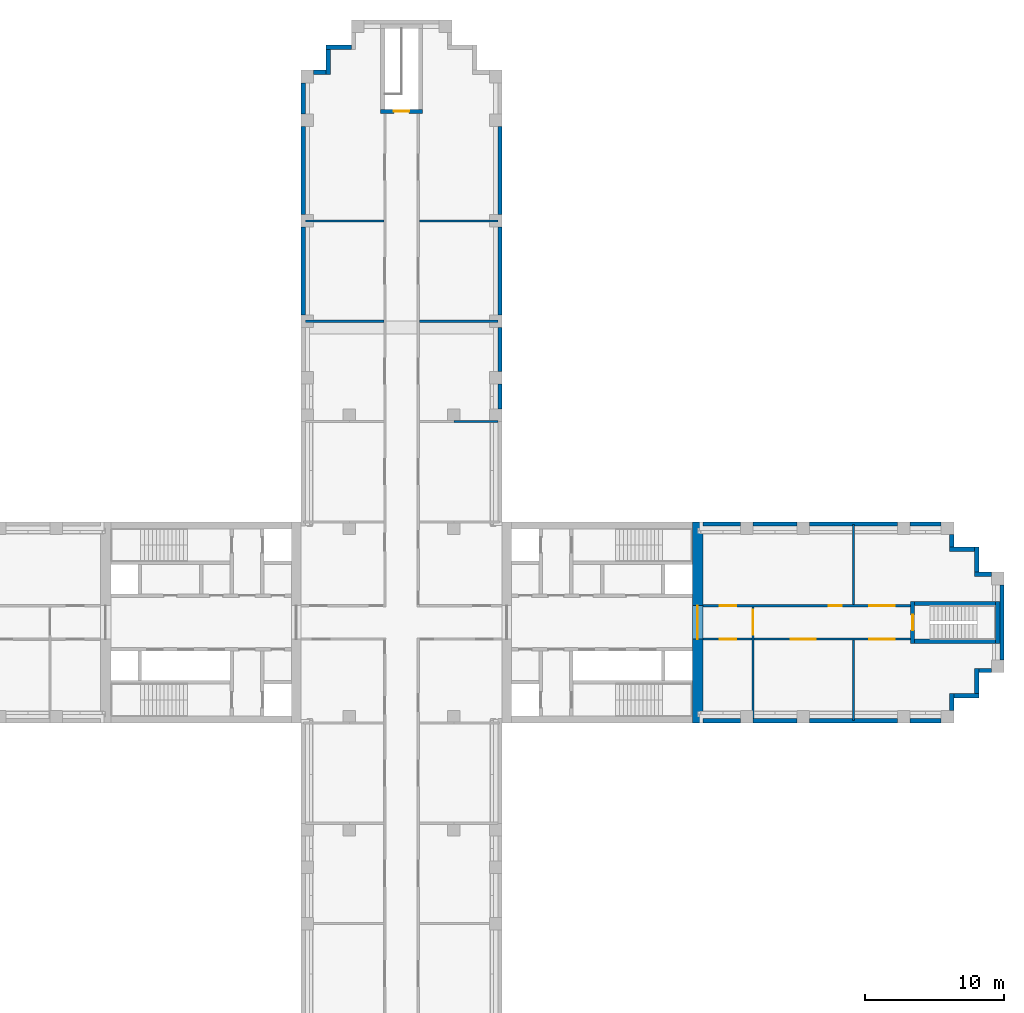
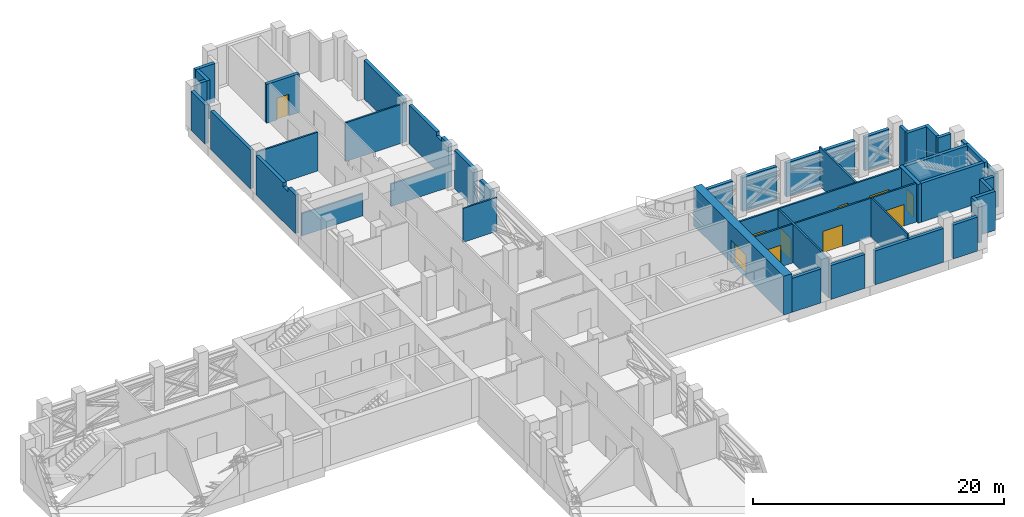
# One storey, part 8 of 10: 43 walls, 10 doors, 10 openings.
"""IFC4 building model written with IfcOpenShell, lengths in metres."""

from ifc_helpers import new_model, si_unit, direction, frame, frame_2d, origin, place, context, subcontext, project, spatial, polyline, rectangle, outline, extrude, material, layer, layer_set, type_object, element, fill, save


model = new_model("IFC4")

# Units and contexts
model_context = context("Model", 3, precision=1e-05, world=origin(), true_north=direction((0.0, 1.0)))
body_context = subcontext(model_context, "Body", "Model", "MODEL_VIEW")
ifc_project = project(units=[si_unit("LENGTHUNIT", "METRE"), si_unit("AREAUNIT", "SQUARE_METRE"), si_unit("VOLUMEUNIT", "CUBIC_METRE"), si_unit("PLANEANGLEUNIT", "RADIAN"), si_unit("MASSUNIT", "GRAM", prefix="KILO")], contexts=[model_context])

# Site, building, storey
site_placement = place(None, origin())
site = spatial("IfcSite", under=ifc_project, at=site_placement, CompositionType="ELEMENT")
building_placement = place(site_placement, origin())
building = spatial("IfcBuilding", under=site, at=building_placement, Name="Fustian Cross Tower", CompositionType="ELEMENT")
storey_placement = place(building_placement, frame((0.0, 0.0, 62.699951171875)))
storey = spatial("IfcBuildingStorey", under=building, at=storey_placement, Name="L19", CompositionType="ELEMENT", Elevation=62.699951171875)

# Walls
ifc_material_1 = material(Name="Plasterboard on steel stud", Category="steel")
ifc_layer_1 = layer(ifc_material_1, 0.14990234375)
ifc_layer_set_1 = layer_set([ifc_layer_1], Name="Plasterboard on steel stud")
wall_type_1 = type_object("IfcWallType", Name="COMPARTMENT WALL 150 EI 60", PredefinedType="PARTITIONING", material=ifc_layer_set_1)
wall_1_placement = place(storey_placement, frame((-6.89990234375, 21.60009765625, 0.0), z_axis=(0.0, 0.0, 1.0), x_axis=(1.0, 0.0, 0.0)))
element("IfcWall", 1, at=wall_1_placement, inside=storey, type_object=wall_type_1, Name="Partition 14", PredefinedType="PARTITIONING", context=body_context, shape_type="SweptSolid", body=[
    extrude(rectangle(XDim=5.625, YDim=0.14990234375, at=frame_2d((2.8125, 0.0))), origin(), (0.0, 0.0, 1.0), 2.175048828125),
])
wall_2_placement = place(storey_placement, frame((-6.89990234375, 28.800048828125, 0.0), z_axis=(0.0, 0.0, 1.0), x_axis=(1.0, 0.0, 0.0)))
element("IfcWall", 2, at=wall_2_placement, inside=storey, type_object=wall_type_1, Name="Partition 15", PredefinedType="PARTITIONING", context=body_context, shape_type="SweptSolid", body=[
    extrude(rectangle(XDim=5.625, YDim=0.14990234375, at=frame_2d((2.8125, 0.0))), origin(), (0.0, 0.0, 1.0), 3.775146484375),
])
wall_3_placement = place(storey_placement, frame((1.27490234375, 21.60009765625, 0.0), z_axis=(0.0, 0.0, 1.0), x_axis=(1.0, 0.0, 0.0)))
element("IfcWall", 3, at=wall_3_placement, inside=storey, type_object=wall_type_1, Name="Partition 28", PredefinedType="PARTITIONING", context=body_context, shape_type="SweptSolid", body=[
    extrude(rectangle(XDim=5.625, YDim=0.14990234375, at=frame_2d((2.8125, 0.0))), origin(), (0.0, 0.0, 1.0), 2.175048828125),
])
wall_4_placement = place(storey_placement, frame((1.27490234375, 28.800048828125, 0.0), z_axis=(0.0, 0.0, 1.0), x_axis=(1.0, 0.0, 0.0)))
element("IfcWall", 4, at=wall_4_placement, inside=storey, type_object=wall_type_1, Name="Partition 29", PredefinedType="PARTITIONING", context=body_context, shape_type="SweptSolid", body=[
    extrude(rectangle(XDim=5.625, YDim=0.14990234375, at=frame_2d((2.8125, 0.0))), origin(), (0.0, 0.0, 1.0), 3.775146484375),
])

# Wall, openings, doors
wall_5_placement = place(storey_placement, frame((21.60009765625, -1.199951171875, 0.0), z_axis=(0.0, 0.0, 1.0), x_axis=(1.0, 0.0, 0.0)))
wall_5 = element("IfcWall", 5, at=wall_5_placement, inside=storey, type_object=wall_type_1, Name="Partition 30", PredefinedType="PARTITIONING", context=body_context, shape_type="SweptSolid", body=[
    extrude(rectangle(XDim=14.89990234375, YDim=0.14990234375, at=frame_2d((7.449951171875, 0.0))), origin(), (0.0, 0.0, 1.0), 3.775146484375),
])
opening_1_placement = place(wall_5_placement, frame((1.199951171875, 0.0, 0.0)))
opening_1 = element("IfcOpeningElement", 6, at=opening_1_placement, cuts=wall_5, Name="Opening D10033", PredefinedType="OPENING", context=body_context, shape_type="SweptSolid", body=[
    extrude(rectangle(XDim=1.199951171875, YDim=2.10009765625, at=frame_2d((0.60009765625, 1.050048828125))), frame((0.0, 0.0849609375, 0.0), z_axis=(0.0, -1.0, 0.0), x_axis=(1.0, 0.0, 0.0)), (0.0, 0.0, 1.0), 0.169921875),
])
opening_2_placement = place(wall_5_placement, frame((6.300048828125, 0.0, 0.0)))
opening_2 = element("IfcOpeningElement", 7, at=opening_2_placement, cuts=wall_5, Name="Opening D10034", PredefinedType="OPENING", context=body_context, shape_type="SweptSolid", body=[
    extrude(rectangle(XDim=1.800048828125, YDim=2.10009765625, at=frame_2d((0.89990234375, 1.050048828125))), frame((0.0, 0.0849609375, 0.0), z_axis=(0.0, -1.0, 0.0), x_axis=(1.0, 0.0, 0.0)), (0.0, 0.0, 1.0), 0.169921875),
])
opening_3_placement = place(wall_5_placement, frame((11.949951171875, 0.0, 0.0)))
opening_3 = element("IfcOpeningElement", 8, at=opening_3_placement, cuts=wall_5, Name="Opening D10035", PredefinedType="OPENING", context=body_context, shape_type="SweptSolid", body=[
    extrude(rectangle(XDim=1.800048828125, YDim=2.10009765625, at=frame_2d((0.89990234375, 1.050048828125))), frame((0.0, 0.0849609375, 0.0), z_axis=(0.0, -1.0, 0.0), x_axis=(1.0, 0.0, 0.0)), (0.0, 0.0, 1.0), 0.169921875),
])
ifc_material_2 = material(Name="Timber fire door set", Category="wood")
door_type_1 = type_object("IfcDoorType", Name="FIRE DOUBLE DOOR 1800 FD60S", OperationType="DOUBLE_DOOR_DOUBLE_SWING", PredefinedType="DOOR", material=ifc_material_2)
door_1_placement = place(opening_2_placement, origin())
door_1 = element("IfcDoor", 9, at=door_1_placement, inside=storey, type_object=door_type_1, Name="Door D10034", OperationType="DOUBLE_DOOR_DOUBLE_SWING", OverallHeight=2.10009765625, OverallWidth=1.800048828125, PredefinedType="DOOR", context=body_context, shape_type="SweptSolid", body=[
    extrude(rectangle(XDim=1.800048828125, YDim=2.10009765625, at=frame_2d((0.89990234375, 1.050048828125))), frame((0.0, 0.02490234375, 0.0), z_axis=(0.0, -1.0, 0.0), x_axis=(1.0, 0.0, 0.0)), (0.0, 0.0, 1.0), 0.050048828125),
])
fill(opening_2, door_1)
door_2_placement = place(opening_3_placement, origin())
door_2 = element("IfcDoor", 10, at=door_2_placement, inside=storey, type_object=door_type_1, Name="Door D10035", OperationType="DOUBLE_DOOR_DOUBLE_SWING", OverallHeight=2.10009765625, OverallWidth=1.800048828125, PredefinedType="DOOR", context=body_context, shape_type="SweptSolid", body=[
    extrude(rectangle(XDim=1.800048828125, YDim=2.10009765625, at=frame_2d((0.89990234375, 1.050048828125))), frame((0.0, 0.02490234375, 0.0), z_axis=(0.0, -1.0, 0.0), x_axis=(1.0, 0.0, 0.0)), (0.0, 0.0, 1.0), 0.050048828125),
])
fill(opening_3, door_2)
ifc_material_3 = material(Name="Timber fire door set", Category="wood")
door_type_2 = type_object("IfcDoorType", Name="FIRE SWING DOOR 1200 FD30S", OperationType="SINGLE_SWING_LEFT", PredefinedType="DOOR", material=ifc_material_3)
door_3_placement = place(opening_1_placement, frame((1.199951171875, 0.0, 0.0), z_axis=(0.0, 0.0, 1.0), x_axis=(-1.0, 0.0, 0.0)))
door_3 = element("IfcDoor", 11, at=door_3_placement, inside=storey, type_object=door_type_2, Name="Door D10033", OperationType="SINGLE_SWING_RIGHT", OverallHeight=2.10009765625, OverallWidth=1.199951171875, PredefinedType="DOOR", context=body_context, shape_type="SweptSolid", body=[
    extrude(rectangle(XDim=1.199951171875, YDim=2.10009765625, at=frame_2d((0.60009765625, 1.050048828125))), frame((0.0, 0.02490234375, 0.0), z_axis=(0.0, -1.0, 0.0), x_axis=(1.0, 0.0, 0.0)), (0.0, 0.0, 1.0), 0.050048828125),
])
fill(opening_1, door_3)

wall_6_placement = place(storey_placement, frame((21.60009765625, 1.199951171875, 0.0), z_axis=(0.0, 0.0, 1.0), x_axis=(1.0, 0.0, 0.0)))
wall_6 = element("IfcWall", 12, at=wall_6_placement, inside=storey, type_object=wall_type_1, Name="Partition 31", PredefinedType="PARTITIONING", context=body_context, shape_type="SweptSolid", body=[
    extrude(rectangle(XDim=14.89990234375, YDim=0.14990234375, at=frame_2d((7.449951171875, 0.0))), origin(), (0.0, 0.0, 1.0), 3.775146484375),
])
opening_4_placement = place(wall_6_placement, frame((1.199951171875, 0.0, 0.0)))
opening_4 = element("IfcOpeningElement", 13, at=opening_4_placement, cuts=wall_6, Name="Opening D10030", PredefinedType="OPENING", context=body_context, shape_type="SweptSolid", body=[
    extrude(rectangle(XDim=1.199951171875, YDim=2.10009765625, at=frame_2d((0.60009765625, 1.050048828125))), frame((0.0, 0.0849609375, 0.0), z_axis=(0.0, -1.0, 0.0), x_axis=(1.0, 0.0, 0.0)), (0.0, 0.0, 1.0), 0.169921875),
])
opening_5_placement = place(wall_6_placement, frame((9.050048828125, 0.0, 0.0)))
opening_5 = element("IfcOpeningElement", 14, at=opening_5_placement, cuts=wall_6, Name="Opening D10031", PredefinedType="OPENING", context=body_context, shape_type="SweptSolid", body=[
    extrude(rectangle(XDim=0.89990234375, YDim=2.10009765625, at=frame_2d((0.449951171875, 1.050048828125))), frame((0.0, 0.0849609375, 0.0), z_axis=(0.0, -1.0, 0.0), x_axis=(1.0, 0.0, 0.0)), (0.0, 0.0, 1.0), 0.169921875),
])
opening_6_placement = place(wall_6_placement, frame((11.949951171875, 0.0, 0.0)))
opening_6 = element("IfcOpeningElement", 15, at=opening_6_placement, cuts=wall_6, Name="Opening D10032", PredefinedType="OPENING", context=body_context, shape_type="SweptSolid", body=[
    extrude(rectangle(XDim=1.800048828125, YDim=2.10009765625, at=frame_2d((0.89990234375, 1.050048828125))), frame((0.0, 0.0849609375, 0.0), z_axis=(0.0, -1.0, 0.0), x_axis=(1.0, 0.0, 0.0)), (0.0, 0.0, 1.0), 0.169921875),
])
door_4_placement = place(opening_6_placement, frame((1.800048828125, 0.0, 0.0), z_axis=(0.0, 0.0, 1.0), x_axis=(-1.0, 0.0, 0.0)))
door_4 = element("IfcDoor", 16, at=door_4_placement, inside=storey, type_object=door_type_1, Name="Door D10032", OperationType="DOUBLE_DOOR_DOUBLE_SWING", OverallHeight=2.10009765625, OverallWidth=1.800048828125, PredefinedType="DOOR", context=body_context, shape_type="SweptSolid", body=[
    extrude(rectangle(XDim=1.800048828125, YDim=2.10009765625, at=frame_2d((0.89990234375, 1.050048828125))), frame((0.0, 0.02490234375, 0.0), z_axis=(0.0, -1.0, 0.0), x_axis=(1.0, 0.0, 0.0)), (0.0, 0.0, 1.0), 0.050048828125),
])
fill(opening_6, door_4)
ifc_material_4 = material(Name="Timber fire door set", Category="wood")
door_type_3 = type_object("IfcDoorType", Name="FIRE SWING DOOR 1200 FD60S", OperationType="SINGLE_SWING_LEFT", PredefinedType="DOOR", material=ifc_material_4)
door_5_placement = place(opening_4_placement, origin())
door_5 = element("IfcDoor", 17, at=door_5_placement, inside=storey, type_object=door_type_3, Name="Door D10030", OperationType="SINGLE_SWING_LEFT", OverallHeight=2.10009765625, OverallWidth=1.199951171875, PredefinedType="DOOR", context=body_context, shape_type="SweptSolid", body=[
    extrude(rectangle(XDim=1.199951171875, YDim=2.10009765625, at=frame_2d((0.60009765625, 1.050048828125))), frame((0.0, 0.02490234375, 0.0), z_axis=(0.0, -1.0, 0.0), x_axis=(1.0, 0.0, 0.0)), (0.0, 0.0, 1.0), 0.050048828125),
])
fill(opening_4, door_5)
ifc_material_5 = material(Name="Timber fire door set", Category="wood")
door_type_4 = type_object("IfcDoorType", Name="FIRE SWING DOOR 900 FD30S", OperationType="SINGLE_SWING_LEFT", PredefinedType="DOOR", material=ifc_material_5)
door_6_placement = place(opening_5_placement, origin())
door_6 = element("IfcDoor", 18, at=door_6_placement, inside=storey, type_object=door_type_4, Name="Door D10031", OperationType="SINGLE_SWING_RIGHT", OverallHeight=2.10009765625, OverallWidth=0.89990234375, PredefinedType="DOOR", context=body_context, shape_type="SweptSolid", body=[
    extrude(rectangle(XDim=0.89990234375, YDim=2.10009765625, at=frame_2d((0.449951171875, 1.050048828125))), frame((0.0, 0.02490234375, 0.0), z_axis=(0.0, -1.0, 0.0), x_axis=(1.0, 0.0, 0.0)), (0.0, 0.0, 1.0), 0.050048828125),
])
fill(opening_5, door_6)

# Wall, opening, door
wall_7_placement = place(storey_placement, frame((25.199951171875, -6.89990234375, 0.0), z_axis=(0.0, 0.0, 1.0), x_axis=(0.0, 1.0, 0.0)))
wall_7 = element("IfcWall", 19, at=wall_7_placement, inside=storey, type_object=wall_type_1, Name="Partition 32", PredefinedType="PARTITIONING", context=body_context, shape_type="SweptSolid", body=[
    extrude(rectangle(XDim=8.02490234375, YDim=0.14990234375, at=frame_2d((4.012451171875, 0.0))), origin(), (0.0, 0.0, 1.0), 3.775146484375),
])
opening_7_placement = place(wall_7_placement, frame((6.0, 0.0, 0.0)))
opening_7 = element("IfcOpeningElement", 20, at=opening_7_placement, cuts=wall_7, Name="Opening D10029", PredefinedType="OPENING", context=body_context, shape_type="SweptSolid", body=[
    extrude(rectangle(XDim=1.800048828125, YDim=2.10009765625, at=frame_2d((0.89990234375, 1.050048828125))), frame((0.0, 0.0849609375, 0.0), z_axis=(0.0, -1.0, 0.0), x_axis=(1.0, 0.0, 0.0)), (0.0, 0.0, 1.0), 0.169921875),
])
ifc_material_6 = material(Name="Timber fire door set", Category="wood")
door_type_5 = type_object("IfcDoorType", Name="FIRE DOUBLE DOOR 1800 FD30S", OperationType="DOUBLE_DOOR_DOUBLE_SWING", PredefinedType="DOOR", material=ifc_material_6)
door_7_placement = place(opening_7_placement, origin())
door_7 = element("IfcDoor", 21, at=door_7_placement, inside=storey, type_object=door_type_5, Name="Door D10029", OperationType="DOUBLE_DOOR_DOUBLE_SWING", OverallHeight=2.10009765625, OverallWidth=1.800048828125, PredefinedType="DOOR", context=body_context, shape_type="SweptSolid", body=[
    extrude(rectangle(XDim=1.800048828125, YDim=2.10009765625, at=frame_2d((0.89990234375, 1.050048828125))), frame((0.0, 0.02490234375, 0.0), z_axis=(0.0, -1.0, 0.0), x_axis=(1.0, 0.0, 0.0)), (0.0, 0.0, 1.0), 0.050048828125),
])
fill(opening_7, door_7)

# Walls
for number, where, z_axis, x_axis, name in (
    (22, (32.39990234375, -7.02001953125, 0.0), (0.0, 0.0, 1.0), (0.0, 1.0, 0.0), "Partition 33"),
    (23, (32.39990234375, 1.27490234375, 0.0), (0.0, 0.0, 1.0), (0.0, 1.0, 0.0), "Partition 34"),
):
    element("IfcWall", number, at=place(storey_placement, frame(where, z_axis=z_axis, x_axis=x_axis)), inside=storey, type_object=wall_type_1, Name=name, PredefinedType="PARTITIONING", context=body_context, shape_type="SweptSolid", body=[
        extrude(rectangle(XDim=5.7451171875, YDim=0.14990234375, at=frame_2d((2.87255859375, 0.0))), origin(), (0.0, 0.0, 1.0), 3.775146484375),
    ])
wall_8_placement = place(storey_placement, frame((3.75, 14.39990234375, 0.0), z_axis=(0.0, 0.0, 1.0), x_axis=(1.0, 0.0, 0.0)))
element("IfcWall", 24, at=wall_8_placement, inside=storey, type_object=wall_type_1, Name="Partition 27", PredefinedType="PARTITIONING", context=body_context, shape_type="SweptSolid", body=[
    extrude(rectangle(XDim=3.14990234375, YDim=0.14990234375, at=frame_2d((1.574951171875, 0.0))), origin(), (0.0, 0.0, 1.0), 3.300048828125),
])

# Wall, opening, door
ifc_material_7 = material(Name="Concrete C80/95", Category="concrete")
ifc_layer_2 = layer(ifc_material_7, 0.75)
ifc_layer_set_2 = layer_set([ifc_layer_2], Name="Concrete C80/95")
wall_type_2 = type_object("IfcWallType", Name="CORE END WALL 750 C80/95", PredefinedType="SHEAR", material=ifc_layer_set_2)
wall_9_placement = place(storey_placement, frame((21.22509765625, -7.199951171875, 0.0), z_axis=(0.0, 0.0, 1.0), x_axis=(0.0, 1.0, 0.0)))
wall_9 = element("IfcWall", 25, at=wall_9_placement, inside=storey, type_object=wall_type_2, Name="Core end wall", PredefinedType="SHEAR", context=body_context, shape_type="SweptSolid", body=[
    extrude(rectangle(XDim=14.39990234375, YDim=0.75, at=frame_2d((7.199951171875, 0.0))), origin(), (0.0, 0.0, 1.0), 3.775146484375),
])
opening_8_placement = place(wall_9_placement, frame((6.0, 0.0, 0.0)))
opening_8 = element("IfcOpeningElement", 26, at=opening_8_placement, cuts=wall_9, Name="Opening CD-08-13", PredefinedType="OPENING", context=body_context, shape_type="SweptSolid", body=[
    extrude(rectangle(XDim=2.39990234375, YDim=2.199951171875, at=frame_2d((1.199951171875, 1.10009765625))), frame((0.0, 0.385009765625, 0.0), z_axis=(0.0, -1.0, 0.0), x_axis=(1.0, 0.0, 0.0)), (0.0, 0.0, 1.0), 0.77001953125),
])
ifc_material_8 = material(Name="Steel", Category="steel")
door_type_6 = type_object("IfcDoorType", Name="FIRE DOOR FD30S DOUBLE 2400X2200", OperationType="DOUBLE_DOOR_DOUBLE_SWING", PredefinedType="DOOR", material=ifc_material_8)
door_8_placement = place(opening_8_placement, origin())
door_8 = element("IfcDoor", 27, at=door_8_placement, inside=storey, type_object=door_type_6, Name="Core door CD-08-13", OperationType="DOUBLE_DOOR_DOUBLE_SWING", OverallHeight=2.199951171875, OverallWidth=2.39990234375, PredefinedType="DOOR", context=body_context, shape_type="SweptSolid", body=[
    extrude(rectangle(XDim=2.39990234375, YDim=2.199951171875, at=frame_2d((1.199951171875, 1.10009765625))), frame((0.0, 0.02490234375, 0.0), z_axis=(0.0, -1.0, 0.0), x_axis=(1.0, 0.0, 0.0)), (0.0, 0.0, 1.0), 0.050048828125),
])
fill(opening_8, door_8)

ifc_material_9 = material(Name="Concrete C50/60", Category="concrete")
ifc_layer_3 = layer(ifc_material_9, 0.300048828125)
ifc_layer_set_3 = layer_set([ifc_layer_3], Name="Concrete C50/60")
wall_type_3 = type_object("IfcWallType", Name="STAIR ENCLOSURE WALL 300 C50/60", PredefinedType="SHEAR", material=ifc_layer_set_3)
wall_10_placement = place(storey_placement, frame((-1.5, 36.64990234375, 0.0), z_axis=(0.0, 0.0, 1.0), x_axis=(1.0, 0.0, 0.0)))
wall_10 = element("IfcWall", 28, at=wall_10_placement, inside=storey, type_object=wall_type_3, Name="Stair enclosure wall", PredefinedType="SHEAR", context=body_context, shape_type="SweptSolid", body=[
    extrude(rectangle(XDim=3.0, YDim=0.300048828125, at=frame_2d((1.5, 0.0))), origin(), (0.0, 0.0, 1.0), 3.775146484375),
])
opening_9_placement = place(wall_10_placement, frame((0.949951171875, 0.0, 0.0)))
opening_9 = element("IfcOpeningElement", 29, at=opening_9_placement, cuts=wall_10, Name="Opening CD-08-31", PredefinedType="OPENING", context=body_context, shape_type="SweptSolid", body=[
    extrude(rectangle(XDim=1.10009765625, YDim=2.10009765625, at=frame_2d((0.550048828125, 1.050048828125))), frame((0.0, 0.159912109375, 0.0), z_axis=(0.0, -1.0, 0.0), x_axis=(1.0, 0.0, 0.0)), (0.0, 0.0, 1.0), 0.320068359375),
])
ifc_material_10 = material(Name="Steel", Category="steel")
door_type_7 = type_object("IfcDoorType", Name="FIRE DOOR FD60S 1100X2100", OperationType="SINGLE_SWING_LEFT", PredefinedType="DOOR", material=ifc_material_10)
door_9_placement = place(opening_9_placement, origin())
door_9 = element("IfcDoor", 30, at=door_9_placement, inside=storey, type_object=door_type_7, Name="Core door CD-08-31", OperationType="SINGLE_SWING_LEFT", OverallHeight=2.10009765625, OverallWidth=1.10009765625, PredefinedType="DOOR", context=body_context, shape_type="SweptSolid", body=[
    extrude(rectangle(XDim=1.10009765625, YDim=2.10009765625, at=frame_2d((0.550048828125, 1.050048828125))), frame((0.0, 0.02490234375, 0.0), z_axis=(0.0, -1.0, 0.0), x_axis=(1.0, 0.0, 0.0)), (0.0, 0.0, 1.0), 0.050048828125),
])
fill(opening_9, door_9)

wall_11_placement = place(storey_placement, frame((36.64990234375, -1.5, 0.0), z_axis=(0.0, 0.0, 1.0), x_axis=(0.0, 1.0, 0.0)))
wall_11 = element("IfcWall", 31, at=wall_11_placement, inside=storey, type_object=wall_type_3, Name="Stair enclosure wall", PredefinedType="SHEAR", context=body_context, shape_type="SweptSolid", body=[
    extrude(rectangle(XDim=3.0, YDim=0.300048828125, at=frame_2d((1.5, 0.0))), origin(), (0.0, 0.0, 1.0), 3.775146484375),
])
opening_10_placement = place(wall_11_placement, frame((0.949951171875, 0.0, 0.0)))
opening_10 = element("IfcOpeningElement", 32, at=opening_10_placement, cuts=wall_11, Name="Opening CD-08-33", PredefinedType="OPENING", context=body_context, shape_type="SweptSolid", body=[
    extrude(rectangle(XDim=1.10009765625, YDim=2.10009765625, at=frame_2d((0.550048828125, 1.050048828125))), frame((0.0, 0.159912109375, 0.0), z_axis=(0.0, -1.0, 0.0), x_axis=(1.0, 0.0, 0.0)), (0.0, 0.0, 1.0), 0.320068359375),
])
door_10_placement = place(opening_10_placement, frame((1.10009765625, 0.0, 0.0), z_axis=(0.0, 0.0, 1.0), x_axis=(-1.0, 0.0, 0.0)))
door_10 = element("IfcDoor", 33, at=door_10_placement, inside=storey, type_object=door_type_7, Name="Core door CD-08-33", OperationType="SINGLE_SWING_RIGHT", OverallHeight=2.10009765625, OverallWidth=1.10009765625, PredefinedType="DOOR", context=body_context, shape_type="SweptSolid", body=[
    extrude(rectangle(XDim=1.10009765625, YDim=2.10009765625, at=frame_2d((0.550048828125, 1.050048828125))), frame((0.0, 0.02490234375, 0.0), z_axis=(0.0, -1.0, 0.0), x_axis=(1.0, 0.0, 0.0)), (0.0, 0.0, 1.0), 0.050048828125),
])
fill(opening_10, door_10)

# Walls
wall_12_placement = place(storey_placement, frame((42.75, -1.5, 0.0), z_axis=(0.0, 0.0, 1.0), x_axis=(0.0, 1.0, 0.0)))
element("IfcWall", 34, at=wall_12_placement, inside=storey, type_object=wall_type_3, Name="Stair enclosure wall", PredefinedType="SHEAR", context=body_context, shape_type="SweptSolid", body=[
    extrude(rectangle(XDim=3.0, YDim=0.300048828125, at=frame_2d((1.5, 0.0))), origin(), (0.0, 0.0, 1.0), 3.775146484375),
])
for number, where, z_axis, x_axis, name in (
    (35, (36.800048828125, -1.35009765625, 0.0), (0.0, 0.0, 1.0), (1.0, 0.0, 0.0), "Stair enclosure wall"),
    (36, (36.800048828125, 1.35009765625, 0.0), (0.0, 0.0, 1.0), (1.0, 0.0, 0.0), "Stair enclosure wall"),
):
    element("IfcWall", number, at=place(storey_placement, frame(where, z_axis=z_axis, x_axis=x_axis)), inside=storey, type_object=wall_type_3, Name=name, PredefinedType="SHEAR", context=body_context, shape_type="SweptSolid", body=[
        extrude(rectangle(XDim=5.800048828125, YDim=0.300048828125, at=frame_2d((2.89990234375, 0.0))), origin(), (0.0, 0.0, 1.0), 3.775146484375),
    ])
ifc_material_11 = material(Name="Dark aluminium louvres on insulated backing wall", Category="aluminium")
ifc_layer_4 = layer(ifc_material_11, 0.300048828125)
ifc_layer_set_4 = layer_set([ifc_layer_4], Name="Dark aluminium louvres on insulated backing wall")
wall_type_4 = type_object("IfcWallType", Name="XW2 LOUVRED PLANT WALL 300", PredefinedType="SOLIDWALL", material=ifc_layer_set_4)
wall_13_placement = place(storey_placement, frame((21.60009765625, -7.050048828125, 0.0), z_axis=(0.0, 0.0, 1.0), x_axis=(1.0, 0.0, 0.0)))
element("IfcWall", 37, at=wall_13_placement, inside=storey, type_object=wall_type_4, Name="Plant louvre wall", PredefinedType="SOLIDWALL", context=body_context, shape_type="SweptSolid", body=[
    extrude(rectangle(XDim=2.699951171875, YDim=0.300048828125, at=frame_2d((1.35009765625, 0.0))), origin(), (0.0, 0.0, 1.0), 3.300048828125),
])
wall_14_placement = place(storey_placement, frame((25.199951171875, -7.050048828125, 0.0), z_axis=(0.0, 0.0, 1.0), x_axis=(1.0, 0.0, 0.0)))
element("IfcWall", 38, at=wall_14_placement, inside=storey, type_object=wall_type_4, Name="Plant louvre wall", PredefinedType="SOLIDWALL", context=body_context, shape_type="SweptSolid", body=[
    extrude(rectangle(XDim=3.150146484375, YDim=0.300048828125, at=frame_2d((1.5751953125, 0.0))), origin(), (0.0, 0.0, 1.0), 3.300048828125),
])
wall_15_placement = place(storey_placement, frame((29.25, -7.050048828125, 0.0), z_axis=(0.0, 0.0, 1.0), x_axis=(1.0, 0.0, 0.0)))
element("IfcWall", 39, at=wall_15_placement, inside=storey, type_object=wall_type_4, Name="Plant louvre wall", PredefinedType="SOLIDWALL", context=body_context, shape_type="SweptSolid", body=[
    extrude(rectangle(XDim=6.300048828125, YDim=0.300048828125, at=frame_2d((3.14990234375, 0.0))), origin(), (0.0, 0.0, 1.0), 3.300048828125),
])
wall_16_placement = place(storey_placement, frame((36.449951171875, -7.050048828125, 0.0), z_axis=(0.0, 0.0, 1.0), x_axis=(1.0, 0.0, 0.0)))
element("IfcWall", 40, at=wall_16_placement, inside=storey, type_object=wall_type_4, Name="Plant louvre wall", PredefinedType="SOLIDWALL", context=body_context, shape_type="SweptSolid", body=[
    extrude(rectangle(XDim=2.25, YDim=0.300048828125, at=frame_2d((1.125, 0.0))), origin(), (0.0, 0.0, 1.0), 3.300048828125),
])
wall_17_placement = place(storey_placement, frame((39.449951171875, -6.300048828125, 0.0), z_axis=(0.0, 0.0, 1.0), x_axis=(0.0, 1.0, 0.0)))
element("IfcWall", 41, at=wall_17_placement, inside=storey, type_object=wall_type_4, Name="Plant louvre wall", PredefinedType="SOLIDWALL", context=body_context, shape_type="SweptSolid", body=[
    extrude(rectangle(XDim=1.199951171875, YDim=0.300048828125, at=frame_2d((0.60009765625, 0.0))), origin(), (0.0, 0.0, 1.0), 3.775146484375),
])
wall_18_placement = place(storey_placement, frame((39.60009765625, -5.25, 0.0), z_axis=(0.0, 0.0, 1.0), x_axis=(1.0, 0.0, 0.0)))
element("IfcWall", 42, at=wall_18_placement, inside=storey, type_object=wall_type_4, Name="Plant louvre wall", PredefinedType="SOLIDWALL", context=body_context, shape_type="SweptSolid", body=[
    extrude(rectangle(XDim=1.7998046875, YDim=0.300048828125, at=frame_2d((0.89990234375, 0.0))), origin(), (0.0, 0.0, 1.0), 3.775146484375),
])
wall_19_placement = place(storey_placement, frame((41.25, -5.10009765625, 0.0), z_axis=(0.0, 0.0, 1.0), x_axis=(0.0, 1.0, 0.0)))
element("IfcWall", 43, at=wall_19_placement, inside=storey, type_object=wall_type_4, Name="Plant louvre wall", PredefinedType="SOLIDWALL", context=body_context, shape_type="SweptSolid", body=[
    extrude(rectangle(XDim=1.800048828125, YDim=0.300048828125, at=frame_2d((0.89990234375, 0.0))), origin(), (0.0, 0.0, 1.0), 3.775146484375),
])
wall_20_placement = place(storey_placement, frame((41.39990234375, -3.449951171875, 0.0), z_axis=(0.0, 0.0, 1.0), x_axis=(1.0, 0.0, 0.0)))
element("IfcWall", 44, at=wall_20_placement, inside=storey, type_object=wall_type_4, Name="Plant louvre wall", PredefinedType="SOLIDWALL", context=body_context, shape_type="SweptSolid", body=[
    extrude(rectangle(XDim=0.900146484375, YDim=0.300048828125, at=frame_2d((0.4501953125, 0.0))), origin(), (0.0, 0.0, 1.0), 3.775146484375),
])
wall_21_placement = place(storey_placement, frame((43.050048828125, -2.699951171875, 0.0), z_axis=(0.0, 0.0, 1.0), x_axis=(0.0, 1.0, 0.0)))
element("IfcWall", 45, at=wall_21_placement, inside=storey, type_object=wall_type_4, Name="Plant louvre wall", PredefinedType="SOLIDWALL", context=body_context, shape_type="SweptSolid", body=[
    extrude(rectangle(XDim=5.39990234375, YDim=0.300048828125, at=frame_2d((2.699951171875, 0.0))), origin(), (0.0, 0.0, 1.0), 3.300048828125),
])
wall_22_placement = place(storey_placement, frame((42.300048828125, 3.449951171875, 0.0), z_axis=(0.0, 0.0, 1.0), x_axis=(-1.0, 0.0, 0.0)))
element("IfcWall", 46, at=wall_22_placement, inside=storey, type_object=wall_type_4, Name="Plant louvre wall", PredefinedType="SOLIDWALL", context=body_context, shape_type="SweptSolid", body=[
    extrude(rectangle(XDim=1.199951171875, YDim=0.300048828125, at=frame_2d((0.60009765625, 0.0))), origin(), (0.0, 0.0, 1.0), 3.775146484375),
])
wall_23_placement = place(storey_placement, frame((41.25, 3.60009765625, 0.0), z_axis=(0.0, 0.0, 1.0), x_axis=(0.0, 1.0, 0.0)))
element("IfcWall", 47, at=wall_23_placement, inside=storey, type_object=wall_type_4, Name="Plant louvre wall", PredefinedType="SOLIDWALL", context=body_context, shape_type="SweptSolid", body=[
    extrude(rectangle(XDim=1.7998046875, YDim=0.300048828125, at=frame_2d((0.89990234375, 0.0))), origin(), (0.0, 0.0, 1.0), 3.775146484375),
])
wall_24_placement = place(storey_placement, frame((41.10009765625, 5.25, 0.0), z_axis=(0.0, 0.0, 1.0), x_axis=(-1.0, 0.0, 0.0)))
element("IfcWall", 48, at=wall_24_placement, inside=storey, type_object=wall_type_4, Name="Plant louvre wall", PredefinedType="SOLIDWALL", context=body_context, shape_type="SweptSolid", body=[
    extrude(rectangle(XDim=1.800048828125, YDim=0.300048828125, at=frame_2d((0.89990234375, 0.0))), origin(), (0.0, 0.0, 1.0), 3.775146484375),
])
wall_25_placement = place(storey_placement, frame((39.449951171875, 5.39990234375, 0.0), z_axis=(0.0, 0.0, 1.0), x_axis=(0.0, 1.0, 0.0)))
element("IfcWall", 49, at=wall_25_placement, inside=storey, type_object=wall_type_4, Name="Plant louvre wall", PredefinedType="SOLIDWALL", context=body_context, shape_type="SweptSolid", body=[
    extrude(rectangle(XDim=0.900146484375, YDim=0.300048828125, at=frame_2d((0.4501953125, 0.0))), origin(), (0.0, 0.0, 1.0), 3.775146484375),
])
wall_26_placement = place(storey_placement, frame((38.699951171875, 7.050048828125, 0.0), z_axis=(0.0, 0.0, 1.0), x_axis=(-1.0, 0.0, 0.0)))
element("IfcWall", 50, at=wall_26_placement, inside=storey, type_object=wall_type_4, Name="Plant louvre wall", PredefinedType="SOLIDWALL", context=body_context, shape_type="SweptSolid", body=[
    extrude(rectangle(XDim=2.25, YDim=0.300048828125, at=frame_2d((1.125, 0.0))), origin(), (0.0, 0.0, 1.0), 3.300048828125),
])
wall_27_placement = place(storey_placement, frame((35.550048828125, 7.050048828125, 0.0), z_axis=(0.0, 0.0, 1.0), x_axis=(-1.0, 0.0, 0.0)))
element("IfcWall", 51, at=wall_27_placement, inside=storey, type_object=wall_type_4, Name="Plant louvre wall", PredefinedType="SOLIDWALL", context=body_context, shape_type="SweptSolid", body=[
    extrude(rectangle(XDim=6.300048828125, YDim=0.300048828125, at=frame_2d((3.14990234375, 0.0))), origin(), (0.0, 0.0, 1.0), 3.300048828125),
])
wall_28_placement = place(storey_placement, frame((28.35009765625, 7.050048828125, 0.0), z_axis=(0.0, 0.0, 1.0), x_axis=(-1.0, 0.0, 0.0)))
element("IfcWall", 52, at=wall_28_placement, inside=storey, type_object=wall_type_4, Name="Plant louvre wall", PredefinedType="SOLIDWALL", context=body_context, shape_type="SweptSolid", body=[
    extrude(rectangle(XDim=3.150146484375, YDim=0.300048828125, at=frame_2d((1.5751953125, 0.0))), origin(), (0.0, 0.0, 1.0), 3.300048828125),
])
wall_29_placement = place(storey_placement, frame((24.300048828125, 7.050048828125, 0.0), z_axis=(0.0, 0.0, 1.0), x_axis=(-1.0, 0.0, 0.0)))
element("IfcWall", 53, at=wall_29_placement, inside=storey, type_object=wall_type_4, Name="Plant louvre wall", PredefinedType="SOLIDWALL", context=body_context, shape_type="SweptSolid", body=[
    extrude(rectangle(XDim=2.699951171875, YDim=0.300048828125, at=frame_2d((1.35009765625, 0.0))), origin(), (0.0, 0.0, 1.0), 3.300048828125),
])
wall_30_placement = place(storey_placement, frame((7.050048828125, 15.300048828125, 0.0), z_axis=(0.0, 0.0, 1.0), x_axis=(0.0, 1.0, 0.0)))
element("IfcWall", 54, at=wall_30_placement, inside=storey, type_object=wall_type_4, Name="Plant louvre wall", PredefinedType="SOLIDWALL", context=body_context, shape_type="SweptSolid", body=[
    extrude(rectangle(XDim=1.800048828125, YDim=0.300048828125, at=frame_2d((0.89990234375, 0.0))), origin(), (0.0, 0.0, 1.0), 3.300048828125),
])
wall_31_placement = place(storey_placement, frame((7.050048828125, 18.0, 0.0), z_axis=(0.0, 0.0, 1.0), x_axis=(0.0, 1.0, 0.0)))
element("IfcWall", 55, at=wall_31_placement, inside=storey, type_object=wall_type_4, Name="Plant louvre wall", PredefinedType="SOLIDWALL", context=body_context, shape_type="SweptSolid", body=[
    extrude(rectangle(XDim=3.14990234375, YDim=0.300048828125, at=frame_2d((1.574951171875, 0.0))), origin(), (0.0, 0.0, 1.0), 3.775146484375),
])
wall_32_placement = place(storey_placement, frame((7.050048828125, 22.050048828125, 0.0), z_axis=(0.0, 0.0, 1.0), x_axis=(0.0, 1.0, 0.0)))
element("IfcWall", 56, at=wall_32_placement, inside=storey, type_object=wall_type_4, Name="Plant louvre wall", PredefinedType="SOLIDWALL", context=body_context, shape_type="SweptSolid", body=[
    extrude(outline(polyline([(0.0, 0.0), (6.300048828125, 0.0), (6.300048828125, 3.775146484375), (1.951904296875, 3.775146484375), (1.949951171875, 3.400146484375), (1.14990234375, 3.400146484375), (1.14794921875, 3.775146484375), (0.0, 3.775146484375), (0.0, 0.0)])), frame((0.0, 0.14990234375, 0.0), z_axis=(0.0, -1.0, 0.0), x_axis=(1.0, 0.0, 0.0)), (0.0, 0.0, 1.0), 0.300048828125),
])
wall_33_placement = place(storey_placement, frame((7.050048828125, 29.25, 0.0), z_axis=(0.0, 0.0, 1.0), x_axis=(0.0, 1.0, 0.0)))
element("IfcWall", 57, at=wall_33_placement, inside=storey, type_object=wall_type_4, Name="Plant louvre wall", PredefinedType="SOLIDWALL", context=body_context, shape_type="SweptSolid", body=[
    extrude(rectangle(XDim=6.300048828125, YDim=0.300048828125, at=frame_2d((3.14990234375, 0.0))), origin(), (0.0, 0.0, 1.0), 3.775146484375),
])
wall_34_placement = place(storey_placement, frame((-3.60009765625, 41.25, 0.0), z_axis=(0.0, 0.0, 1.0), x_axis=(-1.0, 0.0, 0.0)))
element("IfcWall", 58, at=wall_34_placement, inside=storey, type_object=wall_type_4, Name="Plant louvre wall", PredefinedType="SOLIDWALL", context=body_context, shape_type="SweptSolid", body=[
    extrude(rectangle(XDim=1.7998046875, YDim=0.300048828125, at=frame_2d((0.89990234375, 0.0))), origin(), (0.0, 0.0, 1.0), 3.775146484375),
])
wall_35_placement = place(storey_placement, frame((-5.25, 41.10009765625, 0.0), z_axis=(0.0, 0.0, 1.0), x_axis=(0.0, -1.0, 0.0)))
element("IfcWall", 59, at=wall_35_placement, inside=storey, type_object=wall_type_4, Name="Plant louvre wall", PredefinedType="SOLIDWALL", context=body_context, shape_type="SweptSolid", body=[
    extrude(rectangle(XDim=1.800048828125, YDim=0.300048828125, at=frame_2d((0.89990234375, 0.0))), origin(), (0.0, 0.0, 1.0), 3.775146484375),
])
wall_36_placement = place(storey_placement, frame((-5.39990234375, 39.449951171875, 0.0), z_axis=(0.0, 0.0, 1.0), x_axis=(-1.0, 0.0, 0.0)))
element("IfcWall", 60, at=wall_36_placement, inside=storey, type_object=wall_type_4, Name="Plant louvre wall", PredefinedType="SOLIDWALL", context=body_context, shape_type="SweptSolid", body=[
    extrude(rectangle(XDim=0.900146484375, YDim=0.300048828125, at=frame_2d((0.4501953125, 0.0))), origin(), (0.0, 0.0, 1.0), 3.775146484375),
])
wall_37_placement = place(storey_placement, frame((-7.050048828125, 38.699951171875, 0.0), z_axis=(0.0, 0.0, 1.0), x_axis=(0.0, -1.0, 0.0)))
element("IfcWall", 61, at=wall_37_placement, inside=storey, type_object=wall_type_4, Name="Plant louvre wall", PredefinedType="SOLIDWALL", context=body_context, shape_type="SweptSolid", body=[
    extrude(rectangle(XDim=2.25, YDim=0.300048828125, at=frame_2d((1.125, 0.0))), origin(), (0.0, 0.0, 1.0), 3.775146484375),
])
wall_38_placement = place(storey_placement, frame((-7.050048828125, 35.550048828125, 0.0), z_axis=(0.0, 0.0, 1.0), x_axis=(0.0, -1.0, 0.0)))
element("IfcWall", 62, at=wall_38_placement, inside=storey, type_object=wall_type_4, Name="Plant louvre wall", PredefinedType="SOLIDWALL", context=body_context, shape_type="SweptSolid", body=[
    extrude(rectangle(XDim=6.300048828125, YDim=0.300048828125, at=frame_2d((3.14990234375, 0.0))), origin(), (0.0, 0.0, 1.0), 3.775146484375),
])
wall_39_placement = place(storey_placement, frame((-7.050048828125, 28.35009765625, 0.0), z_axis=(0.0, 0.0, 1.0), x_axis=(0.0, -1.0, 0.0)))
element("IfcWall", 63, at=wall_39_placement, inside=storey, type_object=wall_type_4, Name="Plant louvre wall", PredefinedType="SOLIDWALL", context=body_context, shape_type="SweptSolid", body=[
    extrude(outline(polyline([(0.0, 0.0), (6.300048828125, 0.0), (6.300048828125, 3.775146484375), (5.152099609375, 3.775146484375), (5.14990234375, 3.400146484375), (4.35009765625, 3.400146484375), (4.347900390625, 3.775146484375), (0.0, 3.775146484375), (0.0, 0.0)])), frame((0.0, 0.14990234375, 0.0), z_axis=(0.0, -1.0, 0.0), x_axis=(1.0, 0.0, 0.0)), (0.0, 0.0, 1.0), 0.300048828125),
])

save(model, "model.ifc")
